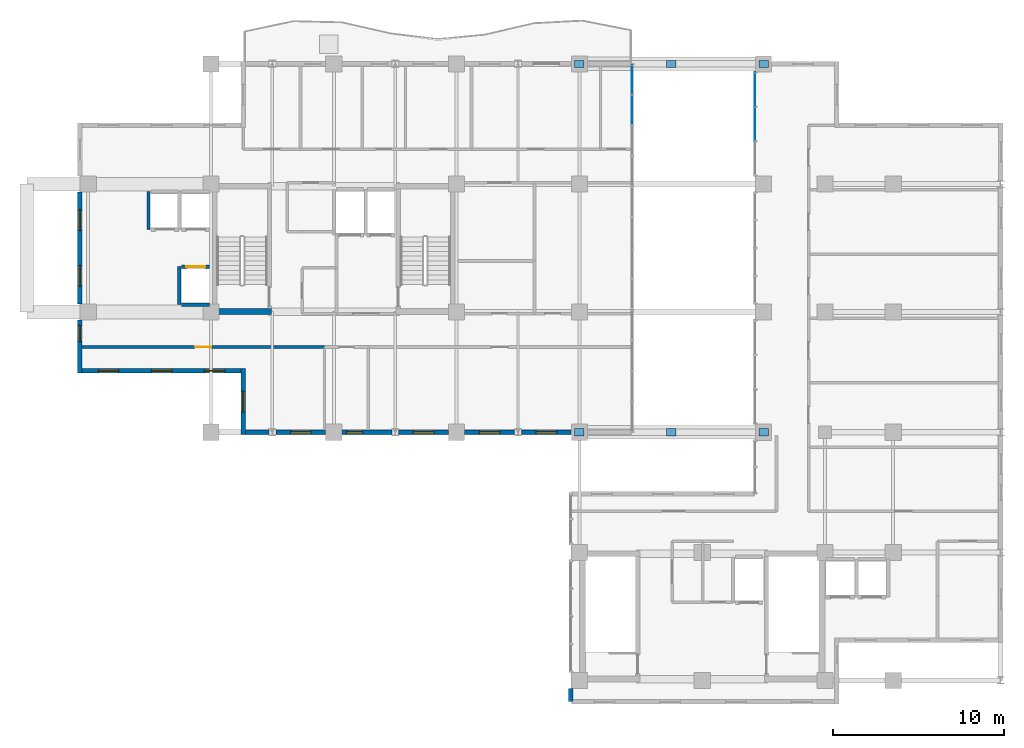
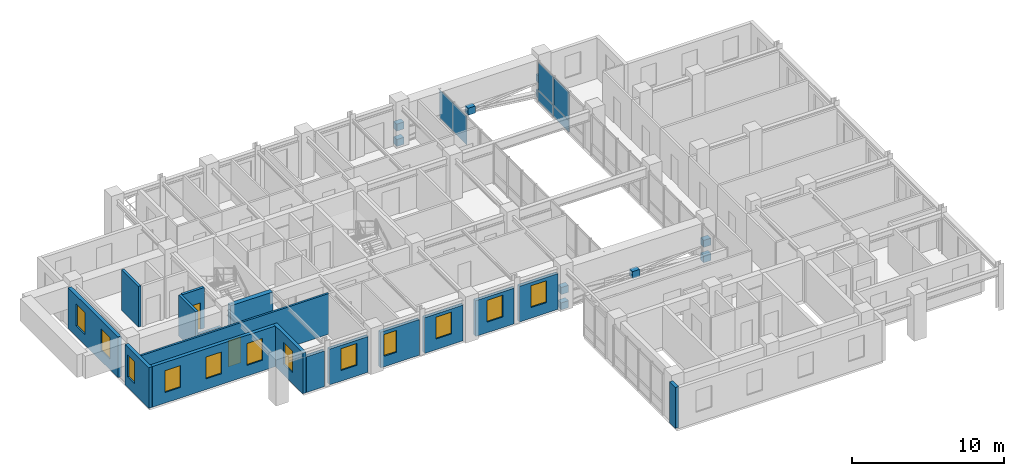
# One storey, part 16 of 23: 17 walls, 15 plates, 12 windows, 2 doors, 14 openings, 2 elements without a shape of their own.
"""IFC4 building model written with IfcOpenShell, lengths in metres."""

from ifc_helpers import new_model, si_unit, direction, frame, frame_2d, origin, origin_2d, place, context, subcontext, project, spatial, rectangle, extrude, source, transform, mapped, material, layer, layer_set, type_object, element, fill, aggregate, save


model = new_model("IFC4")

# Units and contexts
model_context = context("Model", 3, precision=1e-05, world=origin(), true_north=direction((0.0, 1.0)))
body_context = subcontext(model_context, "Body", "Model", "MODEL_VIEW")
ifc_project = project(units=[si_unit("LENGTHUNIT", "METRE"), si_unit("AREAUNIT", "SQUARE_METRE"), si_unit("VOLUMEUNIT", "CUBIC_METRE"), si_unit("PLANEANGLEUNIT", "RADIAN"), si_unit("MASSUNIT", "GRAM", prefix="KILO")], contexts=[model_context])

# Site, building, storey
site_placement = place(None, origin())
site = spatial("IfcSite", under=ifc_project, at=site_placement, CompositionType="ELEMENT")
building_placement = place(site_placement, origin())
building = spatial("IfcBuilding", under=site, at=building_placement, Name="Kaliganga Portal Commons", CompositionType="ELEMENT")
storey_placement = place(building_placement, frame((0.0, 0.0, 246.199951171875)))
storey = spatial("IfcBuildingStorey", under=building, at=storey_placement, Name="L63", CompositionType="ELEMENT", Elevation=246.199951171875)

# Plates
ifc_material_1 = material(Name="Structural steel S460M", Category="steel")
ifc_layer_1 = layer(ifc_material_1, 0.031982421875)
ifc_layer_set_1 = layer_set([ifc_layer_1], Name="Structural steel S460M")
plate_type_1 = type_object("IfcPlateType", Name="PLT-GUSSET-32", PredefinedType="USERDEFINED", material=ifc_layer_set_1)
shared_shape_1 = source(origin(), body_context, "Body", "SweptSolid", [
    extrude(rectangle(XDim=0.56005859375, YDim=0.419921875, at=origin_2d()), origin(), (0.0, 0.0, 1.0), 0.56005859375),
])
for number, where, z_axis, x_axis, name in (
    (1, (41.39990234375, 21.60009765625, 0.534912109375), (0.0, 0.0, 1.0), (1.0, 0.0, 0.0), "Wind Portal Gusset Plate WPG-1-M"),
    (2, (36.0, 21.60009765625, -0.080078125), (0.0, 0.0, 1.0), (1.0, 0.0, 0.0), "Wind Portal Gusset Plate WPG-1-A0"),
    (3, (46.800048828125, 21.60009765625, 1.14990234375), (0.0, 0.0, 1.0), (1.0, 0.0, 0.0), "Wind Portal Gusset Plate WPG-1-A1"),
    (4, (46.800048828125, 21.60009765625, -0.080078125), (0.0, 0.0, 1.0), (1.0, 0.0, 0.0), "Wind Portal Gusset Plate WPG-1-B0"),
    (5, (36.0, 21.60009765625, 1.14990234375), (0.0, 0.0, 1.0), (1.0, 0.0, 0.0), "Wind Portal Gusset Plate WPG-1-B1"),
    (6, (41.39990234375, 43.199951171875, 0.534912109375), (0.0, 0.0, 1.0), (1.0, 0.0, 0.0), "Wind Portal Gusset Plate WPG-2-M"),
    (7, (36.0, 43.199951171875, -0.080078125), (0.0, 0.0, 1.0), (1.0, 0.0, 0.0), "Wind Portal Gusset Plate WPG-2-A0"),
    (8, (46.800048828125, 43.199951171875, 1.14990234375), (0.0, 0.0, 1.0), (1.0, 0.0, 0.0), "Wind Portal Gusset Plate WPG-2-A1"),
    (9, (46.800048828125, 43.199951171875, -0.080078125), (0.0, 0.0, 1.0), (1.0, 0.0, 0.0), "Wind Portal Gusset Plate WPG-2-B0"),
    (10, (36.0, 43.199951171875, 1.14990234375), (0.0, 0.0, 1.0), (1.0, 0.0, 0.0), "Wind Portal Gusset Plate WPG-2-B1"),
):
    element("IfcPlate", number, at=place(storey_placement, frame(where, z_axis=z_axis, x_axis=x_axis)), inside=storey, type_object=plate_type_1, Name=name, ObjectType="GUSSET PLATE", PredefinedType="USERDEFINED", context=body_context, shape_type="MappedRepresentation", body=[
        mapped(shared_shape_1, transform((0.0, 0.0, 0.0), x_axis=(1.0, 0.0, 0.0), y_axis=(0.0, 1.0, 0.0), z_axis=(0.0, 0.0, 1.0), scale=1.0)),
    ])

# Curtain wall, plate
ifc_material_2 = material(Name="Anodized Aluminium and Laminated Low-E Glass", Category="aluminium")
ifc_layer_2 = layer(ifc_material_2, 0.239990234375)
ifc_layer_set_2 = layer_set([ifc_layer_2], Name="Anodized Aluminium and Laminated Low-E Glass")
curtain_wall_type = type_object("IfcCurtainWallType", Name="CW-SYS-04", PredefinedType="NOTDEFINED", material=ifc_layer_set_2)
curtain_wall_1_placement = place(storey_placement, origin())
curtain_wall_1 = element("IfcCurtainWall", 11, at=curtain_wall_1_placement, inside=storey, type_object=curtain_wall_type, Name="CW 04 L63 P1E01S1", PredefinedType="NOTDEFINED")
ifc_material_3 = material(Name="Dark Solar-Control Laminated Low-E IGU", Category="glass")
ifc_layer_3 = layer(ifc_material_3, 0.028076171875)
ifc_layer_set_3 = layer_set([ifc_layer_3], Name="Dark Solar-Control Laminated Low-E IGU")
plate_type_2 = type_object("IfcPlateType", Name="PLT-GLZ-28", PredefinedType="CURTAIN_PANEL", material=ifc_layer_set_3)
shared_shape_2 = source(origin(), body_context, "Body", "SweptSolid", [
    extrude(rectangle(XDim=3.56005859375, YDim=0.028076171875, at=origin_2d()), origin(), (0.0, 0.0, 1.0), 2.26171875),
])
plate_1_placement = place(storey_placement, frame((39.10009765625, 41.39990234375, 0.928466796875), z_axis=(0.0, 0.0, 1.0), x_axis=(0.0, 1.0, 0.0)))
plate_1 = element("IfcPlate", 12, at=plate_1_placement, type_object=plate_type_2, Name="CW:04:L63:P1E01S1 Vision IGU 10", PredefinedType="CURTAIN_PANEL", context=body_context, shape_type="MappedRepresentation", body=[
    mapped(shared_shape_2, transform((0.0, 0.0, 0.0), x_axis=(1.0, 0.0, 0.0), y_axis=(0.0, 1.0, 0.0), z_axis=(0.0, 0.0, 1.0), scale=1.0)),
])
aggregate(curtain_wall_1, [plate_1])

# Curtain wall, plates
curtain_wall_2_placement = place(storey_placement, origin())
curtain_wall_2 = element("IfcCurtainWall", 13, at=curtain_wall_2_placement, inside=storey, type_object=curtain_wall_type, Name="CW 04 L63 P2E07S1", PredefinedType="NOTDEFINED")
ifc_material_4 = material(Name="Insulated Dark Spandrel Panel", Category="metal")
ifc_layer_4 = layer(ifc_material_4, 0.044921875)
ifc_layer_set_4 = layer_set([ifc_layer_4], Name="Insulated Dark Spandrel Panel")
plate_type_3 = type_object("IfcPlateType", Name="PLT-SPN-45", PredefinedType="SHEET", material=ifc_layer_set_4)
shared_shape_3 = source(origin(), body_context, "Body", "SweptSolid", [
    extrude(rectangle(XDim=1.99267578125, YDim=0.044921875, at=origin_2d()), origin(), (0.0, 0.0, 1.0), 0.8984375),
])
plate_2_placement = place(storey_placement, frame((46.300048828125, 41.707763671875, 0.010009765625), z_axis=(0.0, 0.0, 1.0), x_axis=(0.0, -1.0, 0.0)))
plate_2 = element("IfcPlate", 14, at=plate_2_placement, type_object=plate_type_3, Name="CW:04:L63:P2E07S1 Spandrel 00", PredefinedType="SHEET", context=body_context, shape_type="MappedRepresentation", body=[
    mapped(shared_shape_3, transform((0.0, 0.0, 0.0), x_axis=(1.0, 0.0, 0.0), y_axis=(0.0, 1.0, 0.0), z_axis=(0.0, 0.0, 1.0), scale=1.0)),
])
plate_3_placement = place(storey_placement, frame((46.300048828125, 39.675048828125, 0.010009765625), z_axis=(0.0, 0.0, 1.0), x_axis=(0.0, -1.0, 0.0)))
plate_3 = element("IfcPlate", 15, at=plate_3_placement, type_object=plate_type_3, Name="CW:04:L63:P2E07S1 Spandrel 01", PredefinedType="SHEET", context=body_context, shape_type="MappedRepresentation", body=[
    mapped(shared_shape_3, transform((0.0, 0.0, 0.0), x_axis=(1.0, 0.0, 0.0), y_axis=(0.0, 1.0, 0.0), z_axis=(0.0, 0.0, 1.0), scale=1.0)),
])
shared_shape_4 = source(origin(), body_context, "Body", "SweptSolid", [
    extrude(rectangle(XDim=1.99267578125, YDim=0.028076171875, at=origin_2d()), origin(), (0.0, 0.0, 1.0), 2.26171875),
])
plate_4_placement = place(storey_placement, frame((46.300048828125, 41.707763671875, 0.928466796875), z_axis=(0.0, 0.0, 1.0), x_axis=(0.0, -1.0, 0.0)))
plate_4 = element("IfcPlate", 16, at=plate_4_placement, type_object=plate_type_2, Name="CW:04:L63:P2E07S1 Vision IGU 00", PredefinedType="CURTAIN_PANEL", context=body_context, shape_type="MappedRepresentation", body=[
    mapped(shared_shape_4, transform((0.0, 0.0, 0.0), x_axis=(1.0, 0.0, 0.0), y_axis=(0.0, 1.0, 0.0), z_axis=(0.0, 0.0, 1.0), scale=1.0)),
])
plate_5_placement = place(storey_placement, frame((46.300048828125, 39.675048828125, 0.928466796875), z_axis=(0.0, 0.0, 1.0), x_axis=(0.0, -1.0, 0.0)))
plate_5 = element("IfcPlate", 17, at=plate_5_placement, type_object=plate_type_2, Name="CW:04:L63:P2E07S1 Vision IGU 01", PredefinedType="CURTAIN_PANEL", context=body_context, shape_type="MappedRepresentation", body=[
    mapped(shared_shape_4, transform((0.0, 0.0, 0.0), x_axis=(1.0, 0.0, 0.0), y_axis=(0.0, 1.0, 0.0), z_axis=(0.0, 0.0, 1.0), scale=1.0)),
])
aggregate(curtain_wall_2, [plate_2, plate_4, plate_3, plate_5])

# Walls
ifc_material_5 = material(Name="Concrete C50/60", Category="concrete")
ifc_layer_5 = layer(ifc_material_5, 0.35009765625)
ifc_layer_set_5 = layer_set([ifc_layer_5], Name="Concrete C50/60")
wall_type_1 = type_object("IfcWallType", Name="WL-CORE-350", PredefinedType="SHEAR", material=ifc_layer_set_5)
wall_1_placement = place(storey_placement, frame((14.75, 28.675048828125, 0.0), z_axis=(0.0, 0.0, 1.0), x_axis=(1.0, 0.0, 0.0)))
element("IfcWall", 18, at=wall_1_placement, inside=storey, type_object=wall_type_1, Name="Core A S-West Shear Wall L63", PredefinedType="SHEAR", context=body_context, shape_type="SweptSolid", body=[
    extrude(rectangle(XDim=3.199951171875, YDim=0.35009765625, at=frame_2d((1.60009765625, 0.0))), origin(), (0.0, 0.0, 1.0), 3.280029296875),
])
ifc_material_6 = material(Name="Insulated Aluminium-Clad Spandrel Assembly", Category="aluminium")
ifc_layer_6 = layer(ifc_material_6, 0.260009765625)
ifc_layer_set_6 = layer_set([ifc_layer_6], Name="Insulated Aluminium-Clad Spandrel Assembly")
wall_type_2 = type_object("IfcWallType", Name="WL-EXT-SPAND-260", PredefinedType="STANDARD", material=ifc_layer_set_6)
wall_2_placement = place(storey_placement, frame((17.799560546875, 21.60009765625, 0.0), z_axis=(0.0, 0.0, 1.0), x_axis=(-1.0, 0.0, 0.0)))
element("IfcWall", 19, at=wall_2_placement, inside=storey, type_object=wall_type_2, Name="Exterior Envelope Wall L63 P1-E00-S1", PredefinedType="STANDARD", context=body_context, shape_type="SweptSolid", body=[
    extrude(rectangle(XDim=1.364501953125, YDim=0.260009765625, at=frame_2d((0.68212890625, 0.0))), origin(), (0.0, 0.0, 1.0), 2.860107421875),
])

# Wall, opening, window
wall_3_placement = place(storey_placement, frame((21.1240234375, 21.60009765625, 0.0), z_axis=(0.0, 0.0, 1.0), x_axis=(-1.0, 0.0, 0.0)))
wall_3 = element("IfcWall", 20, at=wall_3_placement, inside=storey, type_object=wall_type_2, Name="Exterior Envelope Wall L63 P1-E00-S2", PredefinedType="STANDARD", context=body_context, shape_type="SweptSolid", body=[
    extrude(rectangle(XDim=2.923583984375, YDim=0.260009765625, at=frame_2d((1.4619140625, 0.0))), origin(), (0.0, 0.0, 1.0), 2.860107421875),
])
opening_1_placement = place(wall_3_placement, frame((0.86181640625, 0.0, 0.85009765625)))
opening_1 = element("IfcOpeningElement", 21, at=opening_1_placement, cuts=wall_3, Name="Opening W-03", PredefinedType="OPENING", context=body_context, shape_type="SweptSolid", body=[
    extrude(rectangle(XDim=1.199951171875, YDim=1.75, at=frame_2d((0.60009765625, 0.875))), frame((0.0, 0.14013671875, 0.0), z_axis=(0.0, -1.0, 0.0), x_axis=(1.0, 0.0, 0.0)), (0.0, 0.0, 1.0), 0.280029296875),
])
ifc_material_7 = material(Name="Thermally Broken Aluminium and Low-E Double Glazing", Category="aluminium")
window_type_1 = type_object("IfcWindowType", Name="WIN-STD-1200", PartitioningType="SINGLE_PANEL", PredefinedType="WINDOW", material=ifc_material_7)
window_1_placement = place(opening_1_placement, origin())
window_1 = element("IfcWindow", 22, at=window_1_placement, inside=storey, type_object=window_type_1, Name="Facade Window L63-P1E00S2-00", OverallHeight=1.75, OverallWidth=1.199951171875, PartitioningType="SINGLE_PANEL", PredefinedType="WINDOW", context=body_context, shape_type="SweptSolid", body=[
    extrude(rectangle(XDim=1.199951171875, YDim=1.75, at=frame_2d((0.60009765625, 0.875))), frame((0.0, 0.030029296875, 0.0), z_axis=(0.0, -1.0, 0.0), x_axis=(1.0, 0.0, 0.0)), (0.0, 0.0, 1.0), 0.06005859375),
])
fill(opening_1, window_1)

wall_4_placement = place(storey_placement, frame((24.99951171875, 21.60009765625, 0.0), z_axis=(0.0, 0.0, 1.0), x_axis=(-1.0, 0.0, 0.0)))
wall_4 = element("IfcWall", 23, at=wall_4_placement, inside=storey, type_object=wall_type_2, Name="Exterior Envelope Wall L63 P1-E00-S3", PredefinedType="STANDARD", context=body_context, shape_type="SweptSolid", body=[
    extrude(rectangle(XDim=2.923583984375, YDim=0.260009765625, at=frame_2d((1.4619140625, 0.0))), origin(), (0.0, 0.0, 1.0), 2.860107421875),
])
opening_2_placement = place(wall_4_placement, frame((1.7119140625, 0.0, 0.85009765625)))
opening_2 = element("IfcOpeningElement", 24, at=opening_2_placement, cuts=wall_4, Name="Opening W-04", PredefinedType="OPENING", context=body_context, shape_type="SweptSolid", body=[
    extrude(rectangle(XDim=0.949951171875, YDim=1.75, at=frame_2d((0.47509765625, 0.875))), frame((0.0, 0.14013671875, 0.0), z_axis=(0.0, -1.0, 0.0), x_axis=(1.0, 0.0, 0.0)), (0.0, 0.0, 1.0), 0.280029296875),
])
window_type_2 = type_object("IfcWindowType", Name="WIN-NARROW-950", PartitioningType="SINGLE_PANEL", PredefinedType="WINDOW", material=ifc_material_7)
window_2_placement = place(opening_2_placement, origin())
window_2 = element("IfcWindow", 25, at=window_2_placement, inside=storey, type_object=window_type_2, Name="Facade Window L63-P1E00S3-N2", OverallHeight=1.75, OverallWidth=0.949951171875, PartitioningType="SINGLE_PANEL", PredefinedType="WINDOW", context=body_context, shape_type="SweptSolid", body=[
    extrude(rectangle(XDim=0.949951171875, YDim=1.75, at=frame_2d((0.47509765625, 0.875))), frame((0.0, 0.030029296875, 0.0), z_axis=(0.0, -1.0, 0.0), x_axis=(1.0, 0.0, 0.0)), (0.0, 0.0, 1.0), 0.06005859375),
])
fill(opening_2, window_2)

wall_5_placement = place(storey_placement, frame((28.323974609375, 21.60009765625, 0.0), z_axis=(0.0, 0.0, 1.0), x_axis=(-1.0, 0.0, 0.0)))
wall_5 = element("IfcWall", 26, at=wall_5_placement, inside=storey, type_object=wall_type_2, Name="Exterior Envelope Wall L63 P1-E00-S4", PredefinedType="STANDARD", context=body_context, shape_type="SweptSolid", body=[
    extrude(rectangle(XDim=2.923583984375, YDim=0.260009765625, at=frame_2d((1.4619140625, 0.0))), origin(), (0.0, 0.0, 1.0), 2.860107421875),
])
opening_3_placement = place(wall_5_placement, frame((0.86181640625, 0.0, 0.85009765625)))
opening_3 = element("IfcOpeningElement", 27, at=opening_3_placement, cuts=wall_5, Name="Opening W-03", PredefinedType="OPENING", context=body_context, shape_type="SweptSolid", body=[
    extrude(rectangle(XDim=1.199951171875, YDim=1.75, at=frame_2d((0.60009765625, 0.875))), frame((0.0, 0.14013671875, 0.0), z_axis=(0.0, -1.0, 0.0), x_axis=(1.0, 0.0, 0.0)), (0.0, 0.0, 1.0), 0.280029296875),
])
window_3_placement = place(opening_3_placement, origin())
window_3 = element("IfcWindow", 28, at=window_3_placement, inside=storey, type_object=window_type_1, Name="Facade Window L63-P1E00S4-00", OverallHeight=1.75, OverallWidth=1.199951171875, PartitioningType="SINGLE_PANEL", PredefinedType="WINDOW", context=body_context, shape_type="SweptSolid", body=[
    extrude(rectangle(XDim=1.199951171875, YDim=1.75, at=frame_2d((0.60009765625, 0.875))), frame((0.0, 0.030029296875, 0.0), z_axis=(0.0, -1.0, 0.0), x_axis=(1.0, 0.0, 0.0)), (0.0, 0.0, 1.0), 0.06005859375),
])
fill(opening_3, window_3)

wall_6_placement = place(storey_placement, frame((32.199462890625, 21.60009765625, 0.0), z_axis=(0.0, 0.0, 1.0), x_axis=(-1.0, 0.0, 0.0)))
wall_6 = element("IfcWall", 29, at=wall_6_placement, inside=storey, type_object=wall_type_2, Name="Exterior Envelope Wall L63 P1-E00-S5", PredefinedType="STANDARD", context=body_context, shape_type="SweptSolid", body=[
    extrude(rectangle(XDim=2.923583984375, YDim=0.260009765625, at=frame_2d((1.4619140625, 0.0))), origin(), (0.0, 0.0, 1.0), 2.860107421875),
])
opening_4_placement = place(wall_6_placement, frame((0.86181640625, 0.0, 0.85009765625)))
opening_4 = element("IfcOpeningElement", 30, at=opening_4_placement, cuts=wall_6, Name="Opening W-03", PredefinedType="OPENING", context=body_context, shape_type="SweptSolid", body=[
    extrude(rectangle(XDim=1.199951171875, YDim=1.75, at=frame_2d((0.60009765625, 0.875))), frame((0.0, 0.14013671875, 0.0), z_axis=(0.0, -1.0, 0.0), x_axis=(1.0, 0.0, 0.0)), (0.0, 0.0, 1.0), 0.280029296875),
])
window_4_placement = place(opening_4_placement, origin())
window_4 = element("IfcWindow", 31, at=window_4_placement, inside=storey, type_object=window_type_1, Name="Facade Window L63-P1E00S5-00", OverallHeight=1.75, OverallWidth=1.199951171875, PartitioningType="SINGLE_PANEL", PredefinedType="WINDOW", context=body_context, shape_type="SweptSolid", body=[
    extrude(rectangle(XDim=1.199951171875, YDim=1.75, at=frame_2d((0.60009765625, 0.875))), frame((0.0, 0.030029296875, 0.0), z_axis=(0.0, -1.0, 0.0), x_axis=(1.0, 0.0, 0.0)), (0.0, 0.0, 1.0), 0.06005859375),
])
fill(opening_4, window_4)

wall_7_placement = place(storey_placement, frame((35.52392578125, 21.60009765625, 0.0), z_axis=(0.0, 0.0, 1.0), x_axis=(-1.0, 0.0, 0.0)))
wall_7 = element("IfcWall", 32, at=wall_7_placement, inside=storey, type_object=wall_type_2, Name="Exterior Envelope Wall L63 P1-E00-S6", PredefinedType="STANDARD", context=body_context, shape_type="SweptSolid", body=[
    extrude(rectangle(XDim=2.92333984375, YDim=0.260009765625, at=frame_2d((1.461669921875, 0.0))), origin(), (0.0, 0.0, 1.0), 2.860107421875),
])
opening_5_placement = place(wall_7_placement, frame((0.86181640625, 0.0, 0.85009765625)))
opening_5 = element("IfcOpeningElement", 33, at=opening_5_placement, cuts=wall_7, Name="Opening W-03", PredefinedType="OPENING", context=body_context, shape_type="SweptSolid", body=[
    extrude(rectangle(XDim=1.199951171875, YDim=1.75, at=frame_2d((0.60009765625, 0.875))), frame((0.0, 0.14013671875, 0.0), z_axis=(0.0, -1.0, 0.0), x_axis=(1.0, 0.0, 0.0)), (0.0, 0.0, 1.0), 0.280029296875),
])
window_5_placement = place(opening_5_placement, origin())
window_5 = element("IfcWindow", 34, at=window_5_placement, inside=storey, type_object=window_type_1, Name="Facade Window L63-P1E00S6-00", OverallHeight=1.75, OverallWidth=1.199951171875, PartitioningType="SINGLE_PANEL", PredefinedType="WINDOW", context=body_context, shape_type="SweptSolid", body=[
    extrude(rectangle(XDim=1.199951171875, YDim=1.75, at=frame_2d((0.60009765625, 0.875))), frame((0.0, 0.030029296875, 0.0), z_axis=(0.0, -1.0, 0.0), x_axis=(1.0, 0.0, 0.0)), (0.0, 0.0, 1.0), 0.06005859375),
])
fill(opening_5, window_5)

# Wall, openings, windows
wall_8_placement = place(storey_placement, frame((6.699951171875, 29.1259765625, 0.0), z_axis=(0.0, 0.0, 1.0), x_axis=(0.0, 1.0, 0.0)))
wall_8 = element("IfcWall", 35, at=wall_8_placement, inside=storey, type_object=wall_type_2, Name="Exterior Envelope Wall L63 P1-E05-S2", PredefinedType="STANDARD", context=body_context, shape_type="SweptSolid", body=[
    extrude(rectangle(XDim=6.548095703125, YDim=0.260009765625, at=frame_2d((3.27392578125, 0.0))), origin(), (0.0, 0.0, 1.0), 3.260009765625),
])
opening_6_placement = place(wall_8_placement, frame((1.037109375, 0.0, 0.85009765625)))
opening_6 = element("IfcOpeningElement", 36, at=opening_6_placement, cuts=wall_8, Name="Opening W-03", PredefinedType="OPENING", context=body_context, shape_type="SweptSolid", body=[
    extrude(rectangle(XDim=1.199951171875, YDim=1.75, at=frame_2d((0.60009765625, 0.875))), frame((0.0, 0.14013671875, 0.0), z_axis=(0.0, -1.0, 0.0), x_axis=(1.0, 0.0, 0.0)), (0.0, 0.0, 1.0), 0.280029296875),
])
opening_7_placement = place(wall_8_placement, frame((4.31103515625, 0.0, 0.85009765625)))
opening_7 = element("IfcOpeningElement", 37, at=opening_7_placement, cuts=wall_8, Name="Opening W-03", PredefinedType="OPENING", context=body_context, shape_type="SweptSolid", body=[
    extrude(rectangle(XDim=1.199951171875, YDim=1.75, at=frame_2d((0.60009765625, 0.875))), frame((0.0, 0.14013671875, 0.0), z_axis=(0.0, -1.0, 0.0), x_axis=(1.0, 0.0, 0.0)), (0.0, 0.0, 1.0), 0.280029296875),
])
window_6_placement = place(opening_6_placement, origin())
window_6 = element("IfcWindow", 38, at=window_6_placement, inside=storey, type_object=window_type_1, Name="Facade Window L63-P1E05S2-00", OverallHeight=1.75, OverallWidth=1.199951171875, PartitioningType="SINGLE_PANEL", PredefinedType="WINDOW", context=body_context, shape_type="SweptSolid", body=[
    extrude(rectangle(XDim=1.199951171875, YDim=1.75, at=frame_2d((0.60009765625, 0.875))), frame((0.0, 0.030029296875, 0.0), z_axis=(0.0, -1.0, 0.0), x_axis=(1.0, 0.0, 0.0)), (0.0, 0.0, 1.0), 0.06005859375),
])
fill(opening_6, window_6)
window_7_placement = place(opening_7_placement, origin())
window_7 = element("IfcWindow", 39, at=window_7_placement, inside=storey, type_object=window_type_1, Name="Facade Window L63-P1E05S2-01", OverallHeight=1.75, OverallWidth=1.199951171875, PartitioningType="SINGLE_PANEL", PredefinedType="WINDOW", context=body_context, shape_type="SweptSolid", body=[
    extrude(rectangle(XDim=1.199951171875, YDim=1.75, at=frame_2d((0.60009765625, 0.875))), frame((0.0, 0.030029296875, 0.0), z_axis=(0.0, -1.0, 0.0), x_axis=(1.0, 0.0, 0.0)), (0.0, 0.0, 1.0), 0.06005859375),
])
fill(opening_7, window_7)

# Wall, opening, window
wall_9_placement = place(storey_placement, frame((6.699951171875, 25.070068359375, 0.0), z_axis=(0.0, 0.0, 1.0), x_axis=(0.0, 1.0, 0.0)))
wall_9 = element("IfcWall", 40, at=wall_9_placement, inside=storey, type_object=wall_type_2, Name="Exterior Envelope Wall L63 P1-E05-S3", PredefinedType="STANDARD", context=body_context, shape_type="SweptSolid", body=[
    extrude(rectangle(XDim=3.10400390625, YDim=0.260009765625, at=frame_2d((1.552001953125, 0.0))), origin(), (0.0, 0.0, 1.0), 3.260009765625),
])
opening_8_placement = place(wall_9_placement, frame((1.8466796875, 0.0, 0.85009765625)))
opening_8 = element("IfcOpeningElement", 41, at=opening_8_placement, cuts=wall_9, Name="Opening W-04", PredefinedType="OPENING", context=body_context, shape_type="SweptSolid", body=[
    extrude(rectangle(XDim=0.949951171875, YDim=1.75, at=frame_2d((0.47509765625, 0.875))), frame((0.0, 0.14013671875, 0.0), z_axis=(0.0, -1.0, 0.0), x_axis=(1.0, 0.0, 0.0)), (0.0, 0.0, 1.0), 0.280029296875),
])
window_8_placement = place(opening_8_placement, origin())
window_8 = element("IfcWindow", 42, at=window_8_placement, inside=storey, type_object=window_type_2, Name="Facade Window L63-P1E05S3-N2", OverallHeight=1.75, OverallWidth=0.949951171875, PartitioningType="SINGLE_PANEL", PredefinedType="WINDOW", context=body_context, shape_type="SweptSolid", body=[
    extrude(rectangle(XDim=0.949951171875, YDim=1.75, at=frame_2d((0.47509765625, 0.875))), frame((0.0, 0.030029296875, 0.0), z_axis=(0.0, -1.0, 0.0), x_axis=(1.0, 0.0, 0.0)), (0.0, 0.0, 1.0), 0.06005859375),
])
fill(opening_8, window_8)

# Wall, openings, windows
wall_10_placement = place(storey_placement, frame((16.1650390625, 25.199951171875, 0.0), z_axis=(0.0, 0.0, 1.0), x_axis=(-1.0, 0.0, 0.0)))
wall_10 = element("IfcWall", 43, at=wall_10_placement, inside=storey, type_object=wall_type_2, Name="Exterior Envelope Wall L63 P1-E06-S1", PredefinedType="STANDARD", context=body_context, shape_type="SweptSolid", body=[
    extrude(rectangle(XDim=9.330078125, YDim=0.260009765625, at=frame_2d((4.6650390625, 0.0))), origin(), (0.0, 0.0, 1.0), 3.260009765625),
])
opening_9_placement = place(wall_10_placement, frame((0.955078125, 0.0, 0.85009765625)))
opening_9 = element("IfcOpeningElement", 44, at=opening_9_placement, cuts=wall_10, Name="Opening W-03", PredefinedType="OPENING", context=body_context, shape_type="SweptSolid", body=[
    extrude(rectangle(XDim=1.199951171875, YDim=1.75, at=frame_2d((0.60009765625, 0.875))), frame((0.0, 0.14013671875, 0.0), z_axis=(0.0, -1.0, 0.0), x_axis=(1.0, 0.0, 0.0)), (0.0, 0.0, 1.0), 0.280029296875),
])
opening_10_placement = place(wall_10_placement, frame((4.06494140625, 0.0, 0.85009765625)))
opening_10 = element("IfcOpeningElement", 45, at=opening_10_placement, cuts=wall_10, Name="Opening W-03", PredefinedType="OPENING", context=body_context, shape_type="SweptSolid", body=[
    extrude(rectangle(XDim=1.199951171875, YDim=1.75, at=frame_2d((0.60009765625, 0.875))), frame((0.0, 0.14013671875, 0.0), z_axis=(0.0, -1.0, 0.0), x_axis=(1.0, 0.0, 0.0)), (0.0, 0.0, 1.0), 0.280029296875),
])
opening_11_placement = place(wall_10_placement, frame((7.175048828125, 0.0, 0.85009765625)))
opening_11 = element("IfcOpeningElement", 46, at=opening_11_placement, cuts=wall_10, Name="Opening W-03", PredefinedType="OPENING", context=body_context, shape_type="SweptSolid", body=[
    extrude(rectangle(XDim=1.199951171875, YDim=1.75, at=frame_2d((0.60009765625, 0.875))), frame((0.0, 0.14013671875, 0.0), z_axis=(0.0, -1.0, 0.0), x_axis=(1.0, 0.0, 0.0)), (0.0, 0.0, 1.0), 0.280029296875),
])
window_9_placement = place(opening_9_placement, origin())
window_9 = element("IfcWindow", 47, at=window_9_placement, inside=storey, type_object=window_type_1, Name="Facade Window L63-P1E06S1-00", OverallHeight=1.75, OverallWidth=1.199951171875, PartitioningType="SINGLE_PANEL", PredefinedType="WINDOW", context=body_context, shape_type="SweptSolid", body=[
    extrude(rectangle(XDim=1.199951171875, YDim=1.75, at=frame_2d((0.60009765625, 0.875))), frame((0.0, 0.030029296875, 0.0), z_axis=(0.0, -1.0, 0.0), x_axis=(1.0, 0.0, 0.0)), (0.0, 0.0, 1.0), 0.06005859375),
])
fill(opening_9, window_9)
window_10_placement = place(opening_10_placement, origin())
window_10 = element("IfcWindow", 48, at=window_10_placement, inside=storey, type_object=window_type_1, Name="Facade Window L63-P1E06S1-01", OverallHeight=1.75, OverallWidth=1.199951171875, PartitioningType="SINGLE_PANEL", PredefinedType="WINDOW", context=body_context, shape_type="SweptSolid", body=[
    extrude(rectangle(XDim=1.199951171875, YDim=1.75, at=frame_2d((0.60009765625, 0.875))), frame((0.0, 0.030029296875, 0.0), z_axis=(0.0, -1.0, 0.0), x_axis=(1.0, 0.0, 0.0)), (0.0, 0.0, 1.0), 0.06005859375),
])
fill(opening_10, window_10)
window_11_placement = place(opening_11_placement, origin())
window_11 = element("IfcWindow", 49, at=window_11_placement, inside=storey, type_object=window_type_1, Name="Facade Window L63-P1E06S1-02", OverallHeight=1.75, OverallWidth=1.199951171875, PartitioningType="SINGLE_PANEL", PredefinedType="WINDOW", context=body_context, shape_type="SweptSolid", body=[
    extrude(rectangle(XDim=1.199951171875, YDim=1.75, at=frame_2d((0.60009765625, 0.875))), frame((0.0, 0.030029296875, 0.0), z_axis=(0.0, -1.0, 0.0), x_axis=(1.0, 0.0, 0.0)), (0.0, 0.0, 1.0), 0.06005859375),
])
fill(opening_11, window_11)

# Wall, opening, window
wall_11_placement = place(storey_placement, frame((16.300048828125, 21.469970703125, 0.0), z_axis=(0.0, 0.0, 1.0), x_axis=(0.0, 1.0, 0.0)))
wall_11 = element("IfcWall", 50, at=wall_11_placement, inside=storey, type_object=wall_type_2, Name="Exterior Envelope Wall L63 P1-E07-S1", PredefinedType="STANDARD", context=body_context, shape_type="SweptSolid", body=[
    extrude(rectangle(XDim=3.860107421875, YDim=0.260009765625, at=frame_2d((1.93017578125, 0.0))), origin(), (0.0, 0.0, 1.0), 3.260009765625),
])
opening_12_placement = place(wall_11_placement, frame((1.330078125, 0.0, 0.85009765625)))
opening_12 = element("IfcOpeningElement", 51, at=opening_12_placement, cuts=wall_11, Name="Opening W-03", PredefinedType="OPENING", context=body_context, shape_type="SweptSolid", body=[
    extrude(rectangle(XDim=1.199951171875, YDim=1.75, at=frame_2d((0.60009765625, 0.875))), frame((0.0, 0.14013671875, 0.0), z_axis=(0.0, -1.0, 0.0), x_axis=(1.0, 0.0, 0.0)), (0.0, 0.0, 1.0), 0.280029296875),
])
window_12_placement = place(opening_12_placement, origin())
window_12 = element("IfcWindow", 52, at=window_12_placement, inside=storey, type_object=window_type_1, Name="Facade Window L63-P1E07S1-00", OverallHeight=1.75, OverallWidth=1.199951171875, PartitioningType="SINGLE_PANEL", PredefinedType="WINDOW", context=body_context, shape_type="SweptSolid", body=[
    extrude(rectangle(XDim=1.199951171875, YDim=1.75, at=frame_2d((0.60009765625, 0.875))), frame((0.0, 0.030029296875, 0.0), z_axis=(0.0, -1.0, 0.0), x_axis=(1.0, 0.0, 0.0)), (0.0, 0.0, 1.0), 0.06005859375),
])
fill(opening_12, window_12)

# Wall
wall_12_placement = place(storey_placement, frame((35.5, 5.800048828125, 0.0), z_axis=(0.0, 0.0, 1.0), x_axis=(0.0, 1.0, 0.0)))
element("IfcWall", 53, at=wall_12_placement, inside=storey, type_object=wall_type_2, Name="Exterior Spandrel Closure Pier L63 P2-E09-S3", PredefinedType="STANDARD", context=body_context, shape_type="SweptSolid", body=[
    extrude(rectangle(XDim=0.77392578125, YDim=0.260009765625, at=frame_2d((0.386962890625, 0.0))), origin(), (0.0, 0.0, 1.0), 3.280029296875),
])

# Wall, opening, door
ifc_material_8 = material(Name="Fire-Rated Gypsum Board on Steel Stud", Category="steel")
ifc_layer_7 = layer(ifc_material_8, 0.14990234375)
ifc_layer_set_7 = layer_set([ifc_layer_7], Name="Fire-Rated Gypsum Board on Steel Stud")
wall_type_3 = type_object("IfcWallType", Name="WL-PART-CORR-150", PredefinedType="PARTITIONING", material=ifc_layer_set_7)
wall_13_placement = place(storey_placement, frame((6.83203125, 26.60009765625, 0.0), z_axis=(0.0, 0.0, 1.0), x_axis=(1.0, 0.0, 0.0)))
wall_13 = element("IfcWall", 54, at=wall_13_placement, inside=storey, type_object=wall_type_3, Name="Interior Partition L63-002", PredefinedType="PARTITIONING", context=body_context, shape_type="SweptSolid", body=[
    extrude(rectangle(XDim=14.22802734375, YDim=0.14990234375, at=frame_2d((7.114013671875, 0.0))), origin(), (0.0, 0.0, 1.0), 3.260009765625),
])
opening_13_placement = place(wall_13_placement, frame((6.638916015625, 0.0, 0.0)))
opening_13 = element("IfcOpeningElement", 55, at=opening_13_placement, cuts=wall_13, Name="Opening UD-01", PredefinedType="OPENING", context=body_context, shape_type="SweptSolid", body=[
    extrude(rectangle(XDim=0.949951171875, YDim=2.10009765625, at=frame_2d((0.47509765625, 1.050048828125))), frame((0.0, 0.0849609375, 0.0), z_axis=(0.0, -1.0, 0.0), x_axis=(1.0, 0.0, 0.0)), (0.0, 0.0, 1.0), 0.169921875),
])
ifc_material_9 = material(Name="Solid-Core Timber Acoustic Fire Door", Category="wood")
door_type_1 = type_object("IfcDoorType", Name="DR-UNIT-950", OperationType="NOTDEFINED", PredefinedType="DOOR", material=ifc_material_9)
door_1_placement = place(opening_13_placement, origin())
door_1 = element("IfcDoor", 56, at=door_1_placement, inside=storey, type_object=door_type_1, Name="Interior Door L63-AS01", OperationType="SINGLE_SWING_LEFT", OverallHeight=2.10009765625, OverallWidth=0.949951171875, PredefinedType="DOOR", context=body_context, shape_type="SweptSolid", body=[
    extrude(rectangle(XDim=0.949951171875, YDim=2.10009765625, at=frame_2d((0.47509765625, 1.050048828125))), frame((0.0, 0.02490234375, 0.0), z_axis=(0.0, -1.0, 0.0), x_axis=(1.0, 0.0, 0.0)), (0.0, 0.0, 1.0), 0.050048828125),
])
fill(opening_13, door_1)

# Wall
ifc_material_10 = material(Name="Fire-Rated Shaftwall Masonry Assembly", Category="masonry")
ifc_layer_8 = layer(ifc_material_10, 0.199951171875)
ifc_layer_set_8 = layer_set([ifc_layer_8], Name="Fire-Rated Shaftwall Masonry Assembly")
wall_type_4 = type_object("IfcWallType", Name="WL-SHAFT-200", PredefinedType="PARTITIONING", material=ifc_layer_set_8)
wall_14_placement = place(storey_placement, frame((12.675048828125, 29.0849609375, 0.0), z_axis=(0.0, 0.0, 1.0), x_axis=(1.0, 0.0, 0.0)))
element("IfcWall", 57, at=wall_14_placement, inside=storey, type_object=wall_type_4, Name="Lift PL-A4 Hoistway Shaft Wall L63-S", PredefinedType="PARTITIONING", context=body_context, shape_type="SweptSolid", body=[
    extrude(rectangle(XDim=1.64990234375, YDim=0.199951171875, at=frame_2d((0.824951171875, 0.0))), origin(), (0.0, 0.0, 1.0), 1.4599609375),
])

# Wall, opening, door
wall_15_placement = place(storey_placement, frame((12.675048828125, 31.31494140625, 0.0), z_axis=(0.0, 0.0, 1.0), x_axis=(1.0, 0.0, 0.0)))
wall_15 = element("IfcWall", 58, at=wall_15_placement, inside=storey, type_object=wall_type_4, Name="Lift PL-A4 Hoistway Shaft Wall L63-N", PredefinedType="PARTITIONING", context=body_context, shape_type="SweptSolid", body=[
    extrude(rectangle(XDim=1.64990234375, YDim=0.199951171875, at=frame_2d((0.824951171875, 0.0))), origin(), (0.0, 0.0, 1.0), 3.260009765625),
])
opening_14_placement = place(wall_15_placement, frame((0.27490234375, 0.0, 0.0)))
opening_14 = element("IfcOpeningElement", 59, at=opening_14_placement, cuts=wall_15, Name="Opening LD-01", PredefinedType="OPENING", context=body_context, shape_type="SweptSolid", body=[
    extrude(rectangle(XDim=1.10009765625, YDim=2.1201171875, at=frame_2d((0.550048828125, 1.06005859375))), frame((0.0, 0.10986328125, 0.0), z_axis=(0.0, -1.0, 0.0), x_axis=(1.0, 0.0, 0.0)), (0.0, 0.0, 1.0), 0.219970703125),
])
ifc_material_11 = material(Name="Brushed Stainless Steel 316 Lift Landing Door", Category="steel")
door_type_2 = type_object("IfcDoorType", Name="DR-LIFT-1100", OperationType="SLIDING_TO_LEFT", PredefinedType="DOOR", material=ifc_material_11)
door_2_placement = place(opening_14_placement, origin())
door_2 = element("IfcDoor", 60, at=door_2_placement, inside=storey, type_object=door_type_2, Name="Lift PL-A4 Sliding Landing Door L63", OperationType="SLIDING_TO_LEFT", OverallHeight=2.1201171875, OverallWidth=1.10009765625, PredefinedType="DOOR", context=body_context, shape_type="SweptSolid", body=[
    extrude(rectangle(XDim=1.10009765625, YDim=2.1201171875, at=frame_2d((0.550048828125, 1.06005859375))), frame((0.0, 0.02490234375, 0.0), z_axis=(0.0, -1.0, 0.0), x_axis=(1.0, 0.0, 0.0)), (0.0, 0.0, 1.0), 0.050048828125),
])
fill(opening_14, door_2)

# Walls
for number, where, z_axis, x_axis, name in (
    (61, (12.534912109375, 29.0849609375, 0.0), (0.0, 0.0, 1.0), (0.0, 1.0, 0.0), "Lift PL-A4 Hoistway Shaft Wall L63-W"),
    (62, (10.735107421875, 33.485107421875, 0.0), (0.0, 0.0, 1.0), (0.0, 1.0, 0.0), "Lift PL-OBS Hoistway Shaft Wall L63-W"),
):
    element("IfcWall", number, at=place(storey_placement, frame(where, z_axis=z_axis, x_axis=x_axis)), inside=storey, type_object=wall_type_4, Name=name, PredefinedType="PARTITIONING", context=body_context, shape_type="SweptSolid", body=[
        extrude(rectangle(XDim=2.22998046875, YDim=0.199951171875, at=frame_2d((1.114990234375, 0.0))), origin(), (0.0, 0.0, 1.0), 3.260009765625),
    ])

save(model, "model.ifc")
